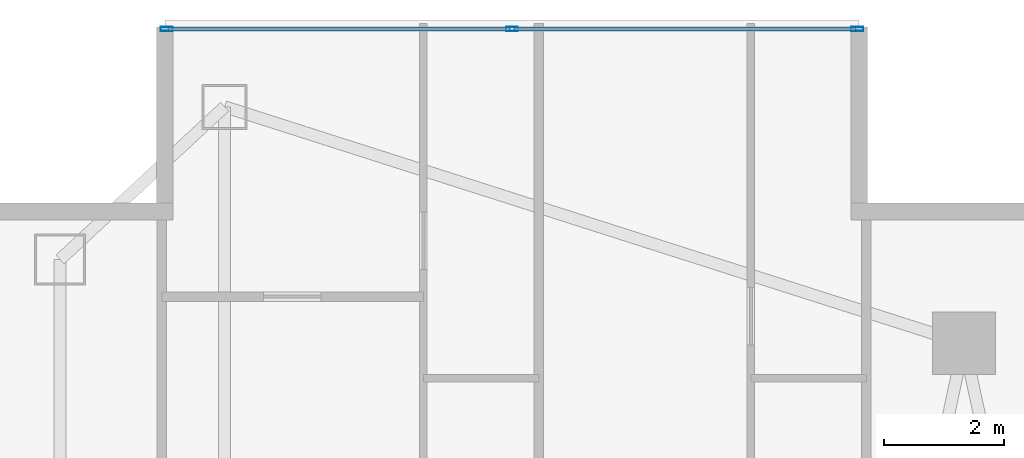
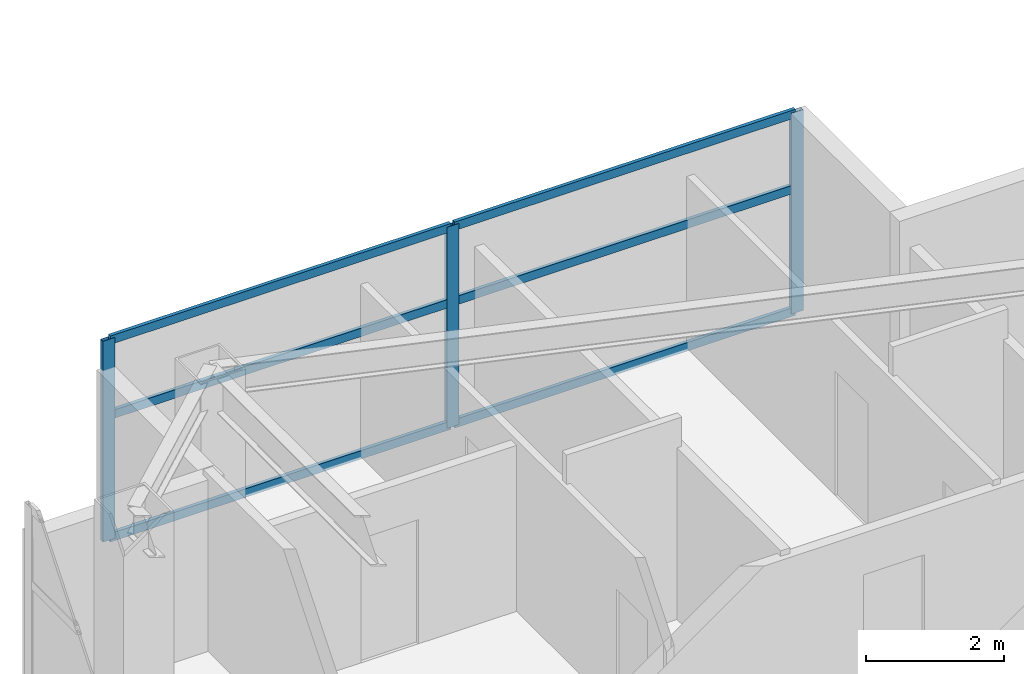
# One storey, part 19 of 28: 9 members, 1 element without a shape of its own.
"""IFC4 building model written with IfcOpenShell, lengths in metres."""

from ifc_helpers import new_model, si_unit, direction, frame, origin, origin_2d, place, context, subcontext, project, spatial, hollow_rectangle, extrude, material, layer, layer_set, material_profile, profile_set, type_object, element, aggregate, save


model = new_model("IFC4")

# Units and contexts
model_context = context("Model", 3, precision=1e-05, world=origin(), true_north=direction((0.0, 1.0)))
body_context = subcontext(model_context, "Body", "Model", "MODEL_VIEW")
ifc_project = project(units=[si_unit("LENGTHUNIT", "METRE"), si_unit("AREAUNIT", "SQUARE_METRE"), si_unit("VOLUMEUNIT", "CUBIC_METRE"), si_unit("PLANEANGLEUNIT", "RADIAN"), si_unit("MASSUNIT", "GRAM", prefix="KILO")], contexts=[model_context])

# Site, building, storey
site_placement = place(None, origin())
site = spatial("IfcSite", under=ifc_project, at=site_placement, CompositionType="ELEMENT")
building_placement = place(site_placement, origin())
building = spatial("IfcBuilding", under=site, at=building_placement, Name="Calvorn Quay Hotel", CompositionType="ELEMENT")
storey_placement = place(building_placement, frame((0.0, 0.0, 178.89990234375)))
storey = spatial("IfcBuildingStorey", under=building, at=storey_placement, Name="L44", CompositionType="ELEMENT", Elevation=178.89990234375)

# Curtain wall, members
ifc_material_1 = material(Name="Pale Anodised Aluminium and Low-E Glass", Category="aluminium")
ifc_layer = layer(ifc_material_1, 0.219970703125)
ifc_layer_set = layer_set([ifc_layer], Name="CW-SYS-Z2")
curtain_wall_type = type_object("IfcCurtainWallType", Name="CW-SYS-Z2", PredefinedType="NOTDEFINED", material=ifc_layer_set)
curtain_wall_placement = place(storey_placement, origin())
curtain_wall = element("IfcCurtainWall", 1, at=curtain_wall_placement, inside=storey, type_object=curtain_wall_type, Name="Inner Court Curtain Wall L44-N1", PredefinedType="NOTDEFINED")
ifc_material_2 = material(Name="Pale Anodised Aluminium 6063-T6", Category="aluminium")
ifc_material_profile_1 = material_profile(ifc_material_2, hollow_rectangle(XDim=0.070068359375, YDim=0.199951171875, WallThickness=0.00390625, at=origin_2d()), Name="ALU-M200x70x4")
ifc_profile_set_1 = profile_set([ifc_material_profile_1], Name="Pale Anodised Aluminium 6063-T6")
member_type_1 = type_object("IfcMemberType", Name="CW-SYS-Z2-MUL", PredefinedType="MULLION", material=ifc_profile_set_1)
member_1_placement = place(storey_placement, frame((14.77001953125, 50.85009765625, 0.0), z_axis=(0.0, 0.0, 1.0), x_axis=(0.0, -1.0, 0.0)))
member_1 = element("IfcMember", 2, at=member_1_placement, type_object=member_type_1, Name="CW-L44-N1 mullion 1", PredefinedType="MULLION", context=body_context, shape_type="SweptSolid", body=[
    extrude(hollow_rectangle(XDim=0.070068359375, YDim=0.199951171875, WallThickness=0.00390625, at=origin_2d()), origin(), (0.0, 0.0, 1.0), 3.56005859375),
])
member_2_placement = place(storey_placement, frame((9.0, 50.85009765625, 0.0), z_axis=(0.0, 0.0, 1.0), x_axis=(0.0, -1.0, 0.0)))
member_2 = element("IfcMember", 3, at=member_2_placement, type_object=member_type_1, Name="CW-L44-N1 mullion 2", PredefinedType="MULLION", context=body_context, shape_type="SweptSolid", body=[
    extrude(hollow_rectangle(XDim=0.070068359375, YDim=0.199951171875, WallThickness=0.00390625, at=origin_2d()), origin(), (0.0, 0.0, 1.0), 3.56005859375),
])
member_3_placement = place(storey_placement, frame((3.22998046875, 50.85009765625, 0.0), z_axis=(0.0, 0.0, 1.0), x_axis=(0.0, -1.0, 0.0)))
member_3 = element("IfcMember", 4, at=member_3_placement, type_object=member_type_1, Name="CW-L44-N1 mullion 3", PredefinedType="MULLION", context=body_context, shape_type="SweptSolid", body=[
    extrude(hollow_rectangle(XDim=0.070068359375, YDim=0.199951171875, WallThickness=0.00390625, at=origin_2d()), origin(), (0.0, 0.0, 1.0), 3.56005859375),
])
ifc_material_3 = material(Name="Pale Anodised Aluminium 6063-T6", Category="aluminium")
ifc_material_profile_2 = material_profile(ifc_material_3, hollow_rectangle(XDim=0.06005859375, YDim=0.14990234375, WallThickness=0.00341796875, at=origin_2d()), Name="ALU-T150x60x3.5")
ifc_profile_set_2 = profile_set([ifc_material_profile_2], Name="Pale Anodised Aluminium 6063-T6")
member_type_2 = type_object("IfcMemberType", Name="CW-SYS-Z2-TRN", PredefinedType="USERDEFINED", material=ifc_profile_set_2)
member_4_placement = place(storey_placement, frame((14.739990234375, 50.85009765625, 0.030029296875), z_axis=(-1.0, 0.0, 0.0), x_axis=(0.0, -1.0, 0.0)))
member_4 = element("IfcMember", 5, at=member_4_placement, type_object=member_type_2, Name="CW-L44-N1 transom 1.1", ObjectType="TRANSOM", PredefinedType="USERDEFINED", context=body_context, shape_type="SweptSolid", body=[
    extrude(hollow_rectangle(XDim=0.06005859375, YDim=0.14990234375, WallThickness=0.00341796875, at=origin_2d()), origin(), (0.0, 0.0, 1.0), 5.7099609375),
])
member_5_placement = place(storey_placement, frame((14.739990234375, 50.85009765625, 2.2001953125), z_axis=(-1.0, 0.0, 0.0), x_axis=(0.0, -1.0, 0.0)))
member_5 = element("IfcMember", 6, at=member_5_placement, type_object=member_type_2, Name="CW-L44-N1 transom 1.2", ObjectType="TRANSOM", PredefinedType="USERDEFINED", context=body_context, shape_type="SweptSolid", body=[
    extrude(hollow_rectangle(XDim=0.06005859375, YDim=0.14990234375, WallThickness=0.00341796875, at=origin_2d()), origin(), (0.0, 0.0, 1.0), 5.7099609375),
])
member_6_placement = place(storey_placement, frame((14.739990234375, 50.85009765625, 3.530029296875), z_axis=(-1.0, 0.0, 0.0), x_axis=(0.0, -1.0, 0.0)))
member_6 = element("IfcMember", 7, at=member_6_placement, type_object=member_type_2, Name="CW-L44-N1 transom 1.3", ObjectType="TRANSOM", PredefinedType="USERDEFINED", context=body_context, shape_type="SweptSolid", body=[
    extrude(hollow_rectangle(XDim=0.06005859375, YDim=0.14990234375, WallThickness=0.00341796875, at=origin_2d()), origin(), (0.0, 0.0, 1.0), 5.7099609375),
])
member_7_placement = place(storey_placement, frame((8.969970703125, 50.85009765625, 0.030029296875), z_axis=(-1.0, 0.0, 0.0), x_axis=(0.0, -1.0, 0.0)))
member_7 = element("IfcMember", 8, at=member_7_placement, type_object=member_type_2, Name="CW-L44-N1 transom 2.1", ObjectType="TRANSOM", PredefinedType="USERDEFINED", context=body_context, shape_type="SweptSolid", body=[
    extrude(hollow_rectangle(XDim=0.06005859375, YDim=0.14990234375, WallThickness=0.00341796875, at=origin_2d()), origin(), (0.0, 0.0, 1.0), 5.7099609375),
])
member_8_placement = place(storey_placement, frame((8.969970703125, 50.85009765625, 2.2001953125), z_axis=(-1.0, 0.0, 0.0), x_axis=(0.0, -1.0, 0.0)))
member_8 = element("IfcMember", 9, at=member_8_placement, type_object=member_type_2, Name="CW-L44-N1 transom 2.2", ObjectType="TRANSOM", PredefinedType="USERDEFINED", context=body_context, shape_type="SweptSolid", body=[
    extrude(hollow_rectangle(XDim=0.06005859375, YDim=0.14990234375, WallThickness=0.00341796875, at=origin_2d()), origin(), (0.0, 0.0, 1.0), 5.7099609375),
])
member_9_placement = place(storey_placement, frame((8.969970703125, 50.85009765625, 3.530029296875), z_axis=(-1.0, 0.0, 0.0), x_axis=(0.0, -1.0, 0.0)))
member_9 = element("IfcMember", 10, at=member_9_placement, type_object=member_type_2, Name="CW-L44-N1 transom 2.3", ObjectType="TRANSOM", PredefinedType="USERDEFINED", context=body_context, shape_type="SweptSolid", body=[
    extrude(hollow_rectangle(XDim=0.06005859375, YDim=0.14990234375, WallThickness=0.00341796875, at=origin_2d()), origin(), (0.0, 0.0, 1.0), 5.7099609375),
])
aggregate(curtain_wall, [member_1, member_2, member_3, member_4, member_5, member_6, member_7, member_8, member_9])

save(model, "model.ifc")
